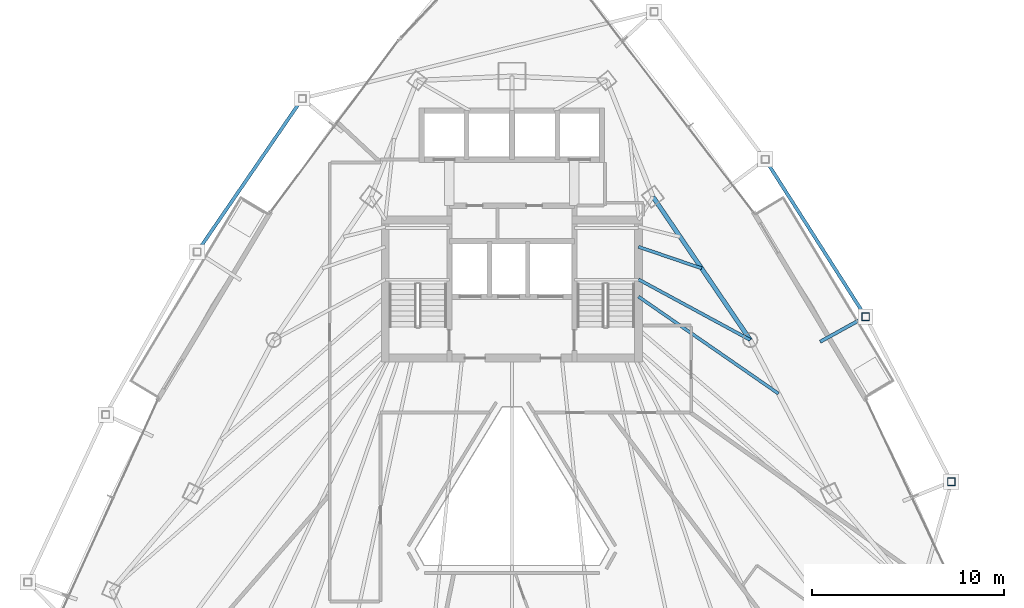
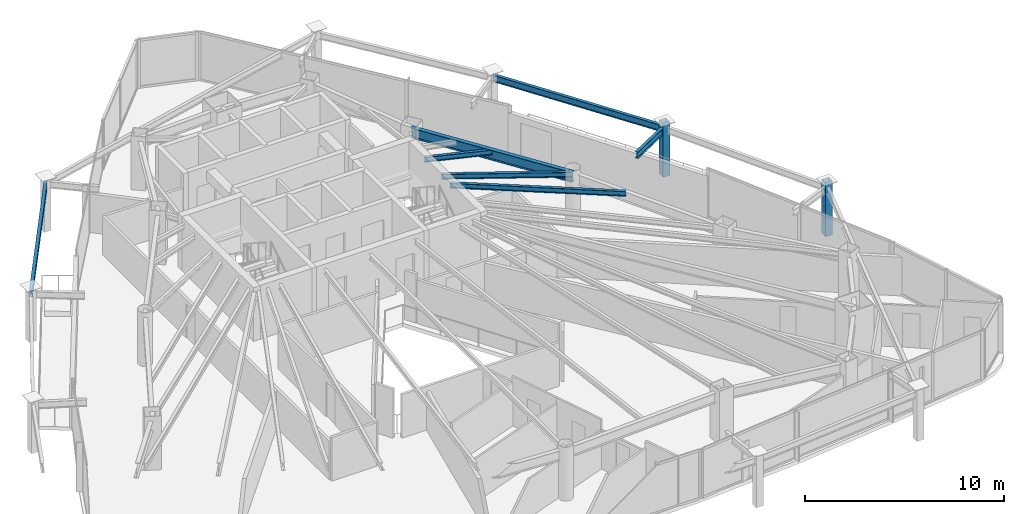
# One storey, part 17 of 30: 7 beams, 2 members.
"""IFC4 building model written with IfcOpenShell, lengths in metres."""

from ifc_helpers import new_model, si_unit, direction, frame, origin, origin_2d, place, context, subcontext, project, spatial, hollow_rectangle, i_section, extrude, material, material_profile, profile_set, type_object, element, save


model = new_model("IFC4")

# Units and contexts
model_context = context("Model", 3, precision=1e-05, world=origin(), true_north=direction((0.0, 1.0)))
body_context = subcontext(model_context, "Body", "Model", "MODEL_VIEW")
ifc_project = project(units=[si_unit("LENGTHUNIT", "METRE"), si_unit("AREAUNIT", "SQUARE_METRE"), si_unit("VOLUMEUNIT", "CUBIC_METRE"), si_unit("PLANEANGLEUNIT", "RADIAN"), si_unit("MASSUNIT", "GRAM", prefix="KILO")], contexts=[model_context])

# Site, building, storey
site_placement = place(None, origin())
site = spatial("IfcSite", under=ifc_project, at=site_placement, CompositionType="ELEMENT")
building_placement = place(site_placement, origin())
building = spatial("IfcBuilding", under=site, at=building_placement, Name="Orvanel Arch Residences", CompositionType="ELEMENT")
storey_placement = place(building_placement, frame((0.0, 0.0, 143.0)))
storey = spatial("IfcBuildingStorey", under=building, at=storey_placement, Name="L40", CompositionType="ELEMENT", Elevation=143.0)

# Beams
ifc_material_1 = material(Name="Structural steel AS/NZS 3679.1 Grade 300 (300 MPa)", Category="steel")
ifc_material_profile_1 = material_profile(ifc_material_1, i_section(OverallWidth=0.1650390625, OverallDepth=0.303955078125, WebThickness=0.006103515625, FlangeThickness=0.01025390625, at=origin_2d()), Name="310UB40.4")
ifc_profile_set_1 = profile_set([ifc_material_profile_1], Name="Structural steel AS/NZS 3679.1 Grade 300 (300 MPa)")
beam_type_1 = type_object("IfcBeamType", Name="BJ-310UB", PredefinedType="JOIST", material=ifc_profile_set_1)
beam_1_placement = place(storey_placement, frame((39.60009765625, 30.800048828125, 2.867919921875), z_axis=(0.87925534649, -0.476350748576, 0.0), x_axis=(0.476350748576, 0.87925534649, 0.0)))
element("IfcBeam", 1, at=beam_1_placement, inside=storey, type_object=beam_type_1, Name="L40 NE Wing Floor Joist", PredefinedType="JOIST", context=body_context, shape_type="SweptSolid", body=[
    extrude(i_section(OverallWidth=0.1650390625, OverallDepth=0.303955078125, WebThickness=0.006103515625, FlangeThickness=0.01025390625, at=origin_2d()), origin(), (0.0, 0.0, 1.0), 6.631591796875),
])
beam_2_placement = place(storey_placement, frame((39.60009765625, 32.5, 2.867919921875), z_axis=(0.9464126781, -0.322959815969, 0.0), x_axis=(0.322959815969, 0.9464126781, 0.0)))
element("IfcBeam", 2, at=beam_2_placement, inside=storey, type_object=beam_type_1, Name="L40 ENE Wing Floor Joist", PredefinedType="JOIST", context=body_context, shape_type="SweptSolid", body=[
    extrude(i_section(OverallWidth=0.1650390625, OverallDepth=0.303955078125, WebThickness=0.006103515625, FlangeThickness=0.01025390625, at=origin_2d()), origin(), (0.0, 0.0, 1.0), 3.477294921875),
])
beam_3_placement = place(storey_placement, frame((39.60009765625, 29.89990234375, 2.867919921875), z_axis=(0.822002180325, -0.569484341787, 0.0), x_axis=(0.569484341787, 0.822002180325, 0.0)))
element("IfcBeam", 3, at=beam_3_placement, inside=storey, type_object=beam_type_1, Name="L40 CTE Wing Floor Joist", PredefinedType="JOIST", context=body_context, shape_type="SweptSolid", body=[
    extrude(i_section(OverallWidth=0.1650390625, OverallDepth=0.303955078125, WebThickness=0.006103515625, FlangeThickness=0.01025390625, at=origin_2d()), origin(), (0.0, 0.0, 1.0), 8.88330078125),
])
ifc_material_profile_2 = material_profile(ifc_material_1, i_section(OverallWidth=0.177978515625, OverallDepth=0.406005859375, WebThickness=0.0078125, FlangeThickness=0.0126953125, at=origin_2d()), Name="410UB59.7")
ifc_profile_set_2 = profile_set([ifc_material_profile_2], Name="Structural steel AS/NZS 3679.1 Grade 300 (300 MPa)")
beam_type_2 = type_object("IfcBeamType", Name="OB-410UB-EXT", PredefinedType="SPANDREL", material=ifc_profile_set_2)
beam_4_placement = place(storey_placement, frame((22.06689453125, 40.23291015625, 2.81689453125), z_axis=(-0.565443260383, -0.824787196365, 0.0), x_axis=(0.824787196365, -0.565443260383, 0.0)))
element("IfcBeam", 4, at=beam_4_placement, inside=storey, type_object=beam_type_2, Name="L40 Outer Perimeter Floor Ring Beam 01", PredefinedType="SPANDREL", context=body_context, shape_type="SweptSolid", body=[
    extrude(i_section(OverallWidth=0.177978515625, OverallDepth=0.406005859375, WebThickness=0.0078125, FlangeThickness=0.0126953125, at=origin_2d()), origin(), (0.0, 0.0, 1.0), 9.701904296875),
])
beam_5_placement = place(storey_placement, frame((49.073974609375, 27.547119140625, 2.81689453125), z_axis=(0.875392178685, 0.483413418822, 0.0), x_axis=(-0.483413418822, 0.875392178685, 0.0)))
element("IfcBeam", 5, at=beam_5_placement, inside=storey, type_object=beam_type_2, Name="L40 Outer Frame Radial Tie Beam 10", PredefinedType="SPANDREL", context=body_context, shape_type="SweptSolid", body=[
    extrude(i_section(OverallWidth=0.177978515625, OverallDepth=0.406005859375, WebThickness=0.0078125, FlangeThickness=0.0126953125, at=origin_2d()), origin(), (0.0, 0.0, 1.0), 2.70751953125),
])
beam_6_placement = place(storey_placement, frame((51.444091796875, 28.85595703125, 2.81689453125), z_axis=(-0.537902363654, 0.843007145388, 0.0), x_axis=(-0.843007145388, -0.537902363654, 0.0)))
element("IfcBeam", 6, at=beam_6_placement, inside=storey, type_object=beam_type_2, Name="L40 Outer Perimeter Floor Ring Beam 10", PredefinedType="SPANDREL", context=body_context, shape_type="SweptSolid", body=[
    extrude(i_section(OverallWidth=0.177978515625, OverallDepth=0.406005859375, WebThickness=0.0078125, FlangeThickness=0.0126953125, at=origin_2d()), origin(), (0.0, 0.0, 1.0), 9.734375),
])
ifc_material_profile_3 = material_profile(ifc_material_1, i_section(OverallWidth=0.22900390625, OverallDepth=0.612060546875, WebThickness=0.011962890625, FlangeThickness=0.01953125, at=origin_2d()), Name="610UB125")
ifc_profile_set_3 = profile_set([ifc_material_profile_3], Name="Structural steel AS/NZS 3679.1 Grade 300 (300 MPa)")
beam_type_3 = type_object("IfcBeamType", Name="SP-610UB", PredefinedType="SPANDREL", material=ifc_profile_set_3)
beam_7_placement = place(storey_placement, frame((45.430908203125, 27.64111328125, 2.714111328125), z_axis=(-0.562154793153, 0.827032035978, 0.0), x_axis=(-0.827032035978, -0.562154793153, 0.0)))
element("IfcBeam", 7, at=beam_7_placement, inside=storey, type_object=beam_type_3, Name="L40 Perimeter Spandrel Beam 12", PredefinedType="SPANDREL", context=body_context, shape_type="SweptSolid", body=[
    extrude(i_section(OverallWidth=0.22900390625, OverallDepth=0.612060546875, WebThickness=0.011962890625, FlangeThickness=0.01953125, at=origin_2d()), origin(), (0.0, 0.0, 1.0), 9.03466796875),
])

# Members
ifc_material_2 = material(Name="Structural steel AS/NZS 1163 C450L0 (Grade 450)", Category="steel")
ifc_material_profile_4 = material_profile(ifc_material_2, hollow_rectangle(XDim=0.39990234375, YDim=0.39990234375, WallThickness=0.01611328125, at=origin_2d()), Name="SHS400x400x16")
ifc_profile_set_4 = profile_set([ifc_material_profile_4], Name="Structural steel AS/NZS 1163 C450L0 (Grade 450)")
member_type = type_object("IfcMemberType", Name="ST-400SHS-EXT", PredefinedType="STRUT", material=ifc_profile_set_4)
for number, where, z_axis, x_axis, name in (
    (8, (55.9208984375, 20.248046875, 0.0), (0.0, 0.0, 1.0), (1.0, 0.0, 0.0), "L40 Outer Perimeter Frame Post 09"),
    (9, (51.444091796875, 28.85595703125, 0.0), (0.0, 0.0, 1.0), (1.0, 0.0, 0.0), "L40 Outer Perimeter Frame Post 10"),
):
    element("IfcMember", number, at=place(storey_placement, frame(where, z_axis=z_axis, x_axis=x_axis)), inside=storey, type_object=member_type, Name=name, PredefinedType="STRUT", context=body_context, shape_type="SweptSolid", body=[
        extrude(hollow_rectangle(XDim=0.39990234375, YDim=0.39990234375, WallThickness=0.01611328125, at=origin_2d()), origin(), (0.0, 0.0, 1.0), 3.300048828125),
    ])

save(model, "model.ifc")
